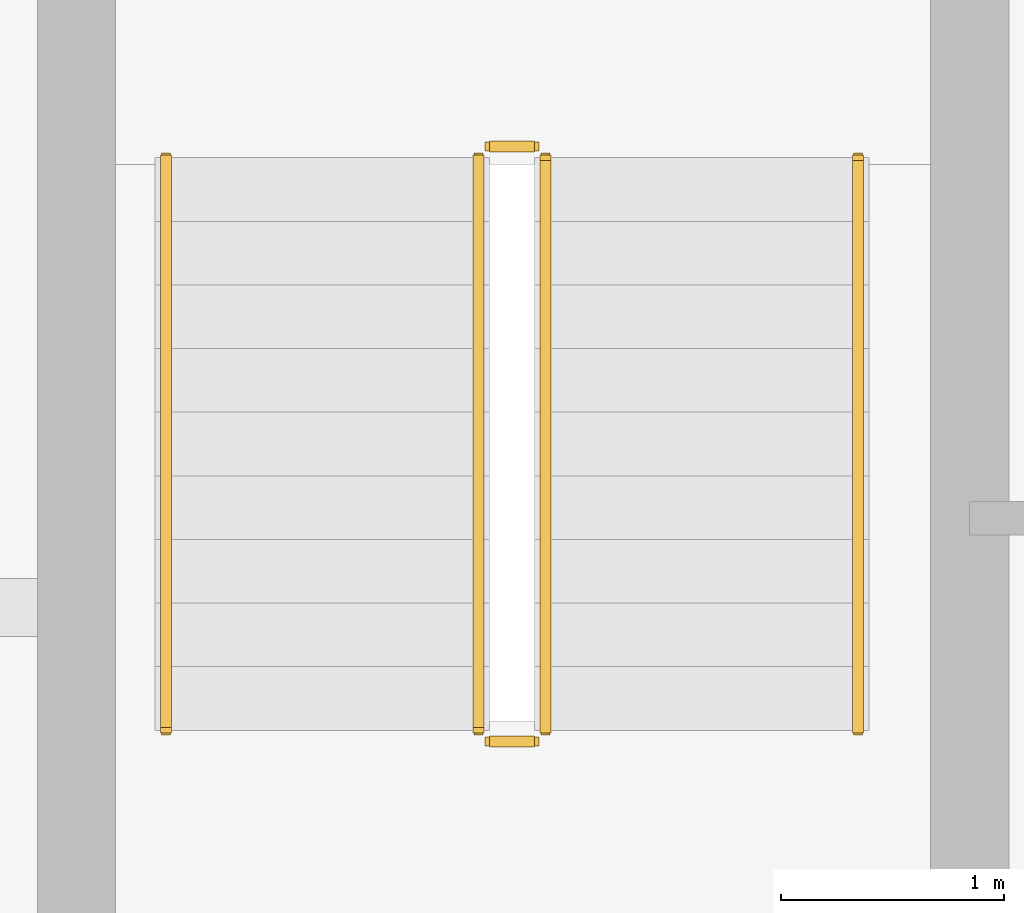
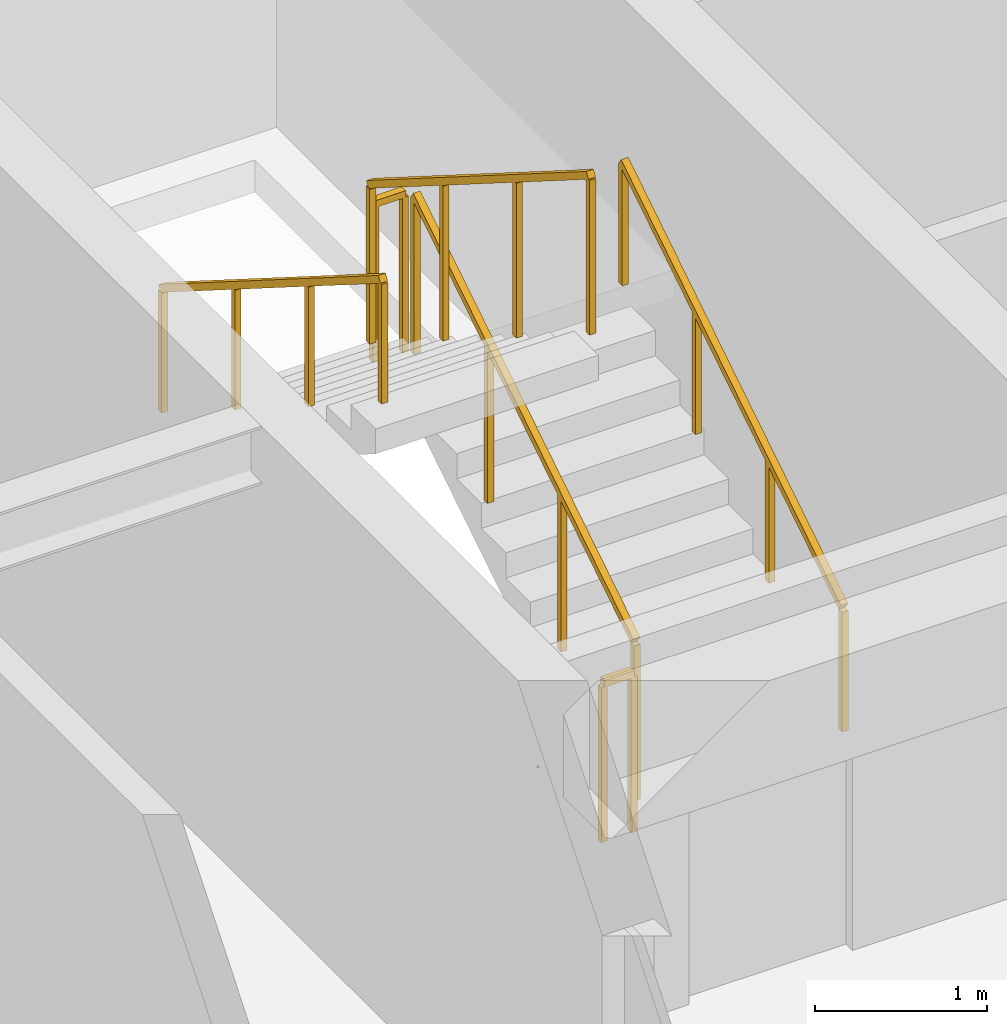
# One storey, part 20 of 22: 6 railings.
"""IFC4 building model written with IfcOpenShell, lengths in metres."""

from ifc_helpers import new_model, si_unit, direction, frame, origin, origin_2d, place, context, subcontext, project, spatial, rectangle, extrude, material, type_object, element, save


model = new_model("IFC4")

# Units and contexts
model_context = context("Model", 3, precision=1e-05, world=origin(), true_north=direction((0.0, 1.0)))
body_context = subcontext(model_context, "Body", "Model", "MODEL_VIEW")
ifc_project = project(units=[si_unit("LENGTHUNIT", "METRE"), si_unit("AREAUNIT", "SQUARE_METRE"), si_unit("VOLUMEUNIT", "CUBIC_METRE"), si_unit("PLANEANGLEUNIT", "RADIAN"), si_unit("MASSUNIT", "GRAM", prefix="KILO")], contexts=[model_context])

# Site, building, storey
site_placement = place(None, origin())
site = spatial("IfcSite", under=ifc_project, at=site_placement, CompositionType="ELEMENT")
building_placement = place(site_placement, origin())
building = spatial("IfcBuilding", under=site, at=building_placement, Name="Sarneth Arch Tower", CompositionType="ELEMENT")
storey_placement = place(building_placement, frame((0.0, 0.0, 283.800048828125)))
storey = spatial("IfcBuildingStorey", under=building, at=storey_placement, Name="L73", CompositionType="ELEMENT", Elevation=283.800048828125)

# Railings
ifc_material_1 = material(Name="Brushed Stainless Steel 304 tubular handrail", Category="steel")
railing_type_1 = type_object("IfcRailingType", Name="RAIL-HANDRAIL-900", PredefinedType="HANDRAIL", material=ifc_material_1)
railing_1_placement = place(storey_placement, frame((40.5, 41.449951171875, 0.179931640625)))
element("IfcRailing", 1, at=railing_1_placement, inside=storey, type_object=railing_type_1, Name="L73 ST-1 stair handrail 1", PredefinedType="HANDRAIL", context=body_context, shape_type="SweptSolid", body=[
    extrude(rectangle(XDim=0.048095703125, YDim=0.048095703125, at=origin_2d()), frame((0.0, 0.0, 0.8759765625), z_axis=(0.0, 0.845465955043, 0.534029323973), x_axis=(-1.0, 0.0, 0.0)), (0.0, 0.0, 1.0), 3.03369140625),
    extrude(rectangle(XDim=0.0419921875, YDim=0.0419921875, at=origin_2d()), origin(), (0.0, 0.0, 1.0), 0.851806640625),
    extrude(rectangle(XDim=0.0419921875, YDim=0.0419921875, at=origin_2d()), frame((0.0, 0.85498046875, 0.5400390625)), (0.0, 0.0, 1.0), 0.851806640625),
    extrude(rectangle(XDim=0.0419921875, YDim=0.0419921875, at=origin_2d()), frame((0.0, 1.7099609375, 1.080078125)), (0.0, 0.0, 1.0), 0.851806640625),
    extrude(rectangle(XDim=0.0419921875, YDim=0.0419921875, at=origin_2d()), frame((0.0, 2.56494140625, 1.6201171875)), (0.0, 0.0, 1.0), 0.851806640625),
])
railing_2_placement = place(storey_placement, frame((37.39990234375, 44.014892578125, 1.97998046875)))
element("IfcRailing", 2, at=railing_2_placement, inside=storey, type_object=railing_type_1, Name="L73 ST-1 stair handrail 2", PredefinedType="HANDRAIL", context=body_context, shape_type="SweptSolid", body=[
    extrude(rectangle(XDim=0.048095703125, YDim=0.048095703125, at=origin_2d()), frame((0.0, 0.0, 0.8759765625), z_axis=(0.0, -0.845502289212, 0.533971796014), x_axis=(1.0, 0.0, 0.0)), (0.0, 0.0, 1.0), 3.03369140625),
    extrude(rectangle(XDim=0.0419921875, YDim=0.0419921875, at=origin_2d()), origin(), (0.0, 0.0, 1.0), 0.851806640625),
    extrude(rectangle(XDim=0.0419921875, YDim=0.0419921875, at=origin_2d()), frame((0.0, -0.85498046875, 0.5400390625)), (0.0, 0.0, 1.0), 0.851806640625),
    extrude(rectangle(XDim=0.0419921875, YDim=0.0419921875, at=origin_2d()), frame((0.0, -1.7099609375, 1.079833984375)), (0.0, 0.0, 1.0), 0.851806640625),
    extrude(rectangle(XDim=0.0419921875, YDim=0.0419921875, at=origin_2d()), frame((0.0, -2.56494140625, 1.619873046875)), (0.0, 0.0, 1.0), 0.851806640625),
])
ifc_material_2 = material(Name="Painted Steel S275 stair well guard", Category="steel")
railing_type_2 = type_object("IfcRailingType", Name="RAIL-STAIR-GUARD", PredefinedType="GUARDRAIL", material=ifc_material_2)
railing_3_placement = place(storey_placement, frame((39.10009765625, 41.449951171875, 0.179931640625)))
element("IfcRailing", 3, at=railing_3_placement, inside=storey, type_object=railing_type_2, Name="L73 ST-1 stair guard 1", PredefinedType="GUARDRAIL", context=body_context, shape_type="SweptSolid", body=[
    extrude(rectangle(XDim=0.048095703125, YDim=0.048095703125, at=origin_2d()), frame((0.0, 0.0, 1.1259765625), z_axis=(0.0, 0.845465955043, 0.534029323973), x_axis=(-1.0, 0.0, 0.0)), (0.0, 0.0, 1.0), 3.03369140625),
    extrude(rectangle(XDim=0.0419921875, YDim=0.0419921875, at=origin_2d()), origin(), (0.0, 0.0, 1.0), 1.101806640625),
    extrude(rectangle(XDim=0.0419921875, YDim=0.0419921875, at=origin_2d()), frame((0.0, 0.85498046875, 0.5400390625)), (0.0, 0.0, 1.0), 1.101806640625),
    extrude(rectangle(XDim=0.0419921875, YDim=0.0419921875, at=origin_2d()), frame((0.0, 1.7099609375, 1.080078125)), (0.0, 0.0, 1.0), 1.101806640625),
    extrude(rectangle(XDim=0.0419921875, YDim=0.0419921875, at=origin_2d()), frame((0.0, 2.56494140625, 1.6201171875)), (0.0, 0.0, 1.0), 1.101806640625),
])
railing_4_placement = place(storey_placement, frame((39.050048828125, 44.06494140625, 1.800048828125)))
element("IfcRailing", 4, at=railing_4_placement, inside=storey, type_object=railing_type_2, Name="L73 ST-1 stair guard 2", PredefinedType="GUARDRAIL", context=body_context, shape_type="SweptSolid", body=[
    extrude(rectangle(XDim=0.048095703125, YDim=0.048095703125, at=origin_2d()), frame((0.0, 0.0, 1.1259765625), z_axis=(-1.0, 0.0, 0.0), x_axis=(0.0, -1.0, 0.0)), (0.0, 0.0, 1.0), 0.199951171875),
    extrude(rectangle(XDim=0.0419921875, YDim=0.0419921875, at=origin_2d()), origin(), (0.0, 0.0, 1.0), 1.101806640625),
    extrude(rectangle(XDim=0.0419921875, YDim=0.0419921875, at=origin_2d()), frame((-0.199951171875, 0.0, 0.0)), (0.0, 0.0, 1.0), 1.101806640625),
])
railing_5_placement = place(storey_placement, frame((38.800048828125, 44.014892578125, 1.97998046875)))
element("IfcRailing", 5, at=railing_5_placement, inside=storey, type_object=railing_type_2, Name="L73 ST-1 stair guard 3", PredefinedType="GUARDRAIL", context=body_context, shape_type="SweptSolid", body=[
    extrude(rectangle(XDim=0.048095703125, YDim=0.048095703125, at=origin_2d()), frame((0.0, 0.0, 1.1259765625), z_axis=(0.0, -0.845502289212, 0.533971796014), x_axis=(1.0, 0.0, 0.0)), (0.0, 0.0, 1.0), 3.03369140625),
    extrude(rectangle(XDim=0.0419921875, YDim=0.0419921875, at=origin_2d()), origin(), (0.0, 0.0, 1.0), 1.101806640625),
    extrude(rectangle(XDim=0.0419921875, YDim=0.0419921875, at=origin_2d()), frame((0.0, -0.85498046875, 0.5400390625)), (0.0, 0.0, 1.0), 1.101806640625),
    extrude(rectangle(XDim=0.0419921875, YDim=0.0419921875, at=origin_2d()), frame((0.0, -1.7099609375, 1.079833984375)), (0.0, 0.0, 1.0), 1.101806640625),
    extrude(rectangle(XDim=0.0419921875, YDim=0.0419921875, at=origin_2d()), frame((0.0, -2.56494140625, 1.619873046875)), (0.0, 0.0, 1.0), 1.101806640625),
])
railing_6_placement = place(storey_placement, frame((39.050048828125, 41.39990234375, 0.0)))
element("IfcRailing", 6, at=railing_6_placement, inside=storey, type_object=railing_type_2, Name="L73 ST-1 stair guard 4", PredefinedType="GUARDRAIL", context=body_context, shape_type="SweptSolid", body=[
    extrude(rectangle(XDim=0.048095703125, YDim=0.048095703125, at=origin_2d()), frame((0.0, 0.0, 1.1259765625), z_axis=(-1.0, 0.0, 0.0), x_axis=(0.0, -1.0, 0.0)), (0.0, 0.0, 1.0), 0.199951171875),
    extrude(rectangle(XDim=0.0419921875, YDim=0.0419921875, at=origin_2d()), origin(), (0.0, 0.0, 1.0), 1.101806640625),
    extrude(rectangle(XDim=0.0419921875, YDim=0.0419921875, at=origin_2d()), frame((-0.199951171875, 0.0, 0.0)), (0.0, 0.0, 1.0), 1.101806640625),
])

save(model, "model.ifc")
